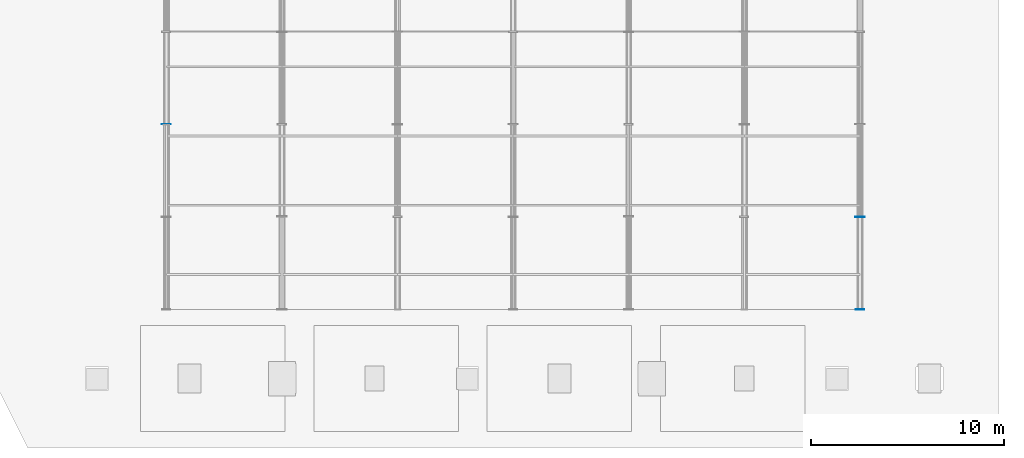
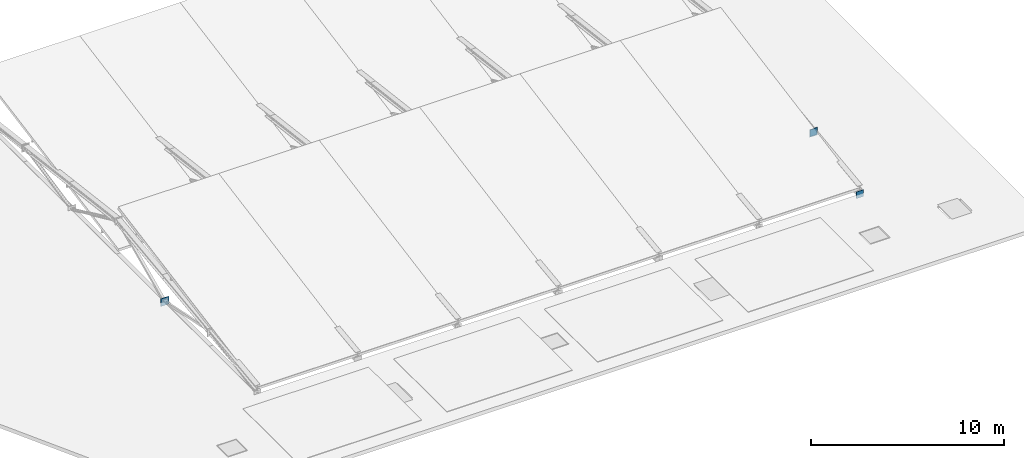
# One storey, part 15 of 32: 4 plates.
"""IFC4 building model written with IfcOpenShell, lengths in metres."""

from ifc_helpers import new_model, si_unit, direction, frame, origin, origin_2d, place, context, subcontext, project, spatial, rectangle, extrude, material, layer, layer_set, type_object, element, save


model = new_model("IFC4")

# Units and contexts
model_context = context("Model", 3, precision=1e-05, world=origin(), true_north=direction((0.0, 1.0)))
body_context = subcontext(model_context, "Body", "Model", "MODEL_VIEW")
ifc_project = project(units=[si_unit("LENGTHUNIT", "METRE"), si_unit("AREAUNIT", "SQUARE_METRE"), si_unit("VOLUMEUNIT", "CUBIC_METRE"), si_unit("PLANEANGLEUNIT", "RADIAN"), si_unit("MASSUNIT", "GRAM", prefix="KILO")], contexts=[model_context])

# Site, building, storey
site_placement = place(None, origin())
site = spatial("IfcSite", under=ifc_project, at=site_placement, CompositionType="ELEMENT")
building_placement = place(site_placement, origin())
building = spatial("IfcBuilding", under=site, at=building_placement, Name="Brisavento Harbour Community Centre", CompositionType="ELEMENT")
storey_placement = place(building_placement, frame((0.0, 0.0, 12.89990234375)))
storey = spatial("IfcBuildingStorey", under=building, at=storey_placement, Name="L03", CompositionType="ELEMENT", Elevation=12.89990234375)

# Plates
ifc_material = material(Name="Steel S355", Category="steel")
ifc_layer_1 = layer(ifc_material, 0.02001953125, Name="Steel S355")
ifc_layer_set_1 = layer_set([ifc_layer_1], Name="Steel S355")
plate_type_1 = type_object("IfcPlateType", Name="PLT-GUS-2", PredefinedType="USERDEFINED", material=ifc_layer_set_1)
for number, where, z_axis, x_axis, name in (
    (1, (165.60009765625, 86.39501953125, -0.2109375), (0.0, 0.0, 1.0), (0.0, 1.0, 0.0), "V4-TR7-DG1 hollow-end cap plate 1"),
    (2, (165.60009765625, 91.204833984375, 0.791259765625), (0.0, 0.0, 1.0), (0.0, 1.0, 0.0), "V4-TR7-DG1 hollow-end cap plate 2"),
):
    element("IfcPlate", number, at=place(storey_placement, frame(where, z_axis=z_axis, x_axis=x_axis)), inside=storey, type_object=plate_type_1, Name=name, ObjectType="GUSSET PLATE", PredefinedType="USERDEFINED", context=body_context, shape_type="SweptSolid", body=[
        extrude(rectangle(XDim=0.02001953125, YDim=0.419921875, at=origin_2d()), origin(), (0.0, 0.0, 1.0), 0.419921875),
    ])
ifc_layer_2 = layer(ifc_material, 0.02392578125, Name="Steel S355")
ifc_layer_set_2 = layer_set([ifc_layer_2], Name="Steel S355")
plate_type_2 = type_object("IfcPlateType", Name="PLT-GUS-3", PredefinedType="USERDEFINED", material=ifc_layer_set_2)
for number, where, z_axis, x_axis, name in (
    (3, (129.60009765625, 96.005859375, -0.2412109375), (0.0, 0.0, 1.0), (0.0, 1.0, 0.0), "V4-TR1-DG2 hollow-end cap plate 2"),
    (4, (165.60009765625, 91.194091796875, 0.76123046875), (0.0, 0.0, 1.0), (0.0, 1.0, 0.0), "V4-TR7-DG2 hollow-end cap plate 1"),
):
    element("IfcPlate", number, at=place(storey_placement, frame(where, z_axis=z_axis, x_axis=x_axis)), inside=storey, type_object=plate_type_2, Name=name, ObjectType="GUSSET PLATE", PredefinedType="USERDEFINED", context=body_context, shape_type="SweptSolid", body=[
        extrude(rectangle(XDim=0.02392578125, YDim=0.47998046875, at=origin_2d()), origin(), (0.0, 0.0, 1.0), 0.47998046875),
    ])

save(model, "model.ifc")
